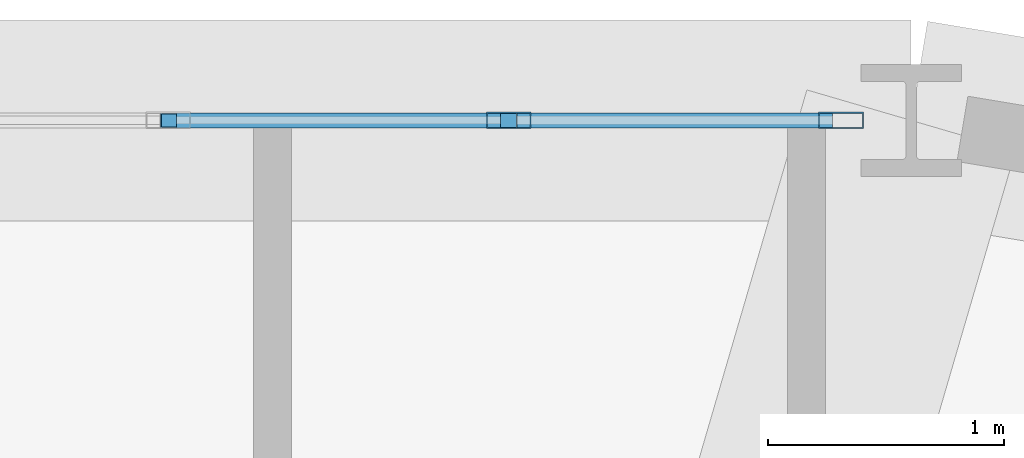
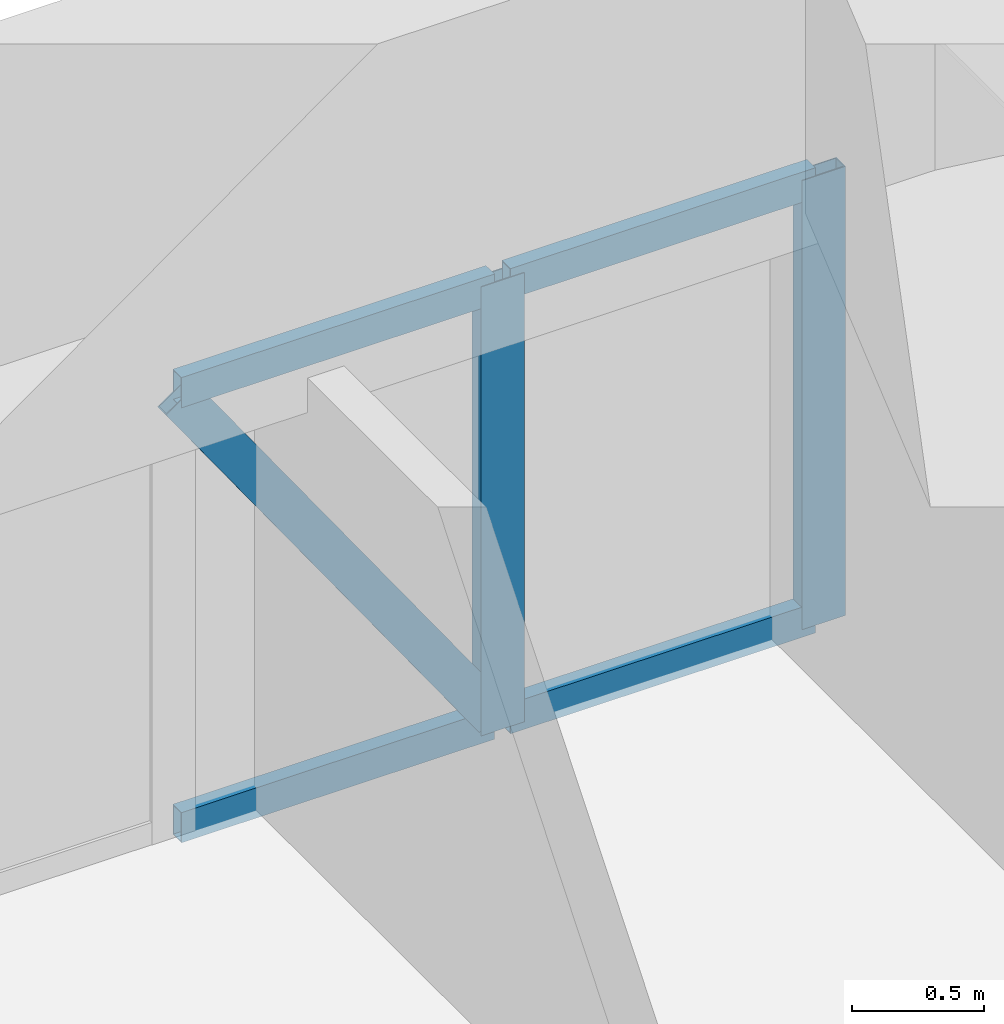
# One storey, part 11 of 17: 7 members, 1 element without a shape of its own.
"""IFC4 building model written with IfcOpenShell, lengths in metres."""

from ifc_helpers import new_model, si_unit, derived_unit, direction, frame, origin, origin_2d, place, context, subcontext, project, spatial, hollow_rectangle, extrude, source, transform, mapped, material, layer, layer_set, material_profile, profile_set, type_object, element, aggregate, save


model = new_model("IFC4")

# Units and contexts
model_context = context("Model", 3, precision=1e-05, world=origin(), true_north=direction((0.0, 1.0)))
body_context = subcontext(model_context, "Body", "Model", "MODEL_VIEW")
ifc_project = project(units=[si_unit("LENGTHUNIT", "METRE"), si_unit("AREAUNIT", "SQUARE_METRE"), si_unit("VOLUMEUNIT", "CUBIC_METRE"), si_unit("PLANEANGLEUNIT", "RADIAN"), si_unit("MASSUNIT", "GRAM", prefix="KILO"), derived_unit("THERMALTRANSMITTANCEUNIT", [(si_unit("POWERUNIT", "WATT"), 1), (si_unit("LENGTHUNIT", "METRE"), -2), (si_unit("THERMODYNAMICTEMPERATUREUNIT", "KELVIN"), -1)])], contexts=[model_context])

# Site, building, storey
site_placement = place(None, origin())
site = spatial("IfcSite", under=ifc_project, at=site_placement, CompositionType="ELEMENT")
building_placement = place(site_placement, origin())
building = spatial("IfcBuilding", under=site, at=building_placement, Name="Korsvarv Bourse and Concert Hall", CompositionType="ELEMENT")
storey_placement = place(building_placement, frame((0.0, 0.0, 83.39990234375)))
storey = spatial("IfcBuildingStorey", under=building, at=storey_placement, Name="L20", CompositionType="ELEMENT", Elevation=83.39990234375)

# Curtain wall, members
ifc_material_1 = material(Name="Anodised aluminium and triple low-E glazing", Category="glass")
ifc_layer = layer(ifc_material_1, 0.219970703125)
ifc_layer_set = layer_set([ifc_layer], Name="Anodised aluminium and triple low-E glazing")
curtain_wall_type = type_object("IfcCurtainWallType", Name="CW-SYS-1", PredefinedType="NOTDEFINED", material=ifc_layer_set)
curtain_wall_placement = place(storey_placement, origin())
curtain_wall = element("IfcCurtainWall", 1, at=curtain_wall_placement, inside=storey, type_object=curtain_wall_type, Name="L20 CW1 curtain wall CW-L20-F03", PredefinedType="NOTDEFINED")
ifc_material_2 = material(Name="Extruded aluminium EN AW-6063 T66", Category="aluminium")
ifc_material_profile_1 = material_profile(ifc_material_2, hollow_rectangle(XDim=0.070068359375, YDim=0.18994140625, WallThickness=0.0048828125, at=origin_2d()), Name="ALU-M 70x190")
ifc_profile_set_1 = profile_set([ifc_material_profile_1], Name="Extruded aluminium EN AW-6063 T66")
member_type_1 = type_object("IfcMemberType", Name="CWM-190", PredefinedType="MULLION", material=ifc_profile_set_1)
shared_shape_1 = source(origin(), body_context, "Body", "SweptSolid", [
    extrude(hollow_rectangle(XDim=0.070068359375, YDim=0.18994140625, WallThickness=0.0048828125, at=origin_2d()), origin(), (0.0, 0.0, 1.0), 2.080078125),
])
member_1_placement = place(storey_placement, frame((47.37158203125, 55.86767578125, 0.0), z_axis=(0.0, 0.0, 1.0), x_axis=(0.0, -1.0, 0.0)))
member_1 = element("IfcMember", 2, at=member_1_placement, type_object=member_type_1, Name="CW1 mullion 1", PredefinedType="MULLION", context=body_context, shape_type="MappedRepresentation", body=[
    mapped(shared_shape_1, transform((0.0, 0.0, 0.0), scale=1.0)),
])
member_2_placement = place(storey_placement, frame((45.96533203125, 55.86767578125, 0.0), z_axis=(0.0, 0.0, 1.0), x_axis=(0.0, -1.0, 0.0)))
member_2 = element("IfcMember", 3, at=member_2_placement, type_object=member_type_1, Name="CW1 mullion 2", PredefinedType="MULLION", context=body_context, shape_type="MappedRepresentation", body=[
    mapped(shared_shape_1, transform((0.0, 0.0, 0.0), scale=1.0)),
])
ifc_material_profile_2 = material_profile(ifc_material_2, hollow_rectangle(XDim=0.06494140625, YDim=0.139892578125, WallThickness=0.00390625, at=origin_2d()), Name="ALU-T 65x140")
ifc_profile_set_2 = profile_set([ifc_material_profile_2], Name="Extruded aluminium EN AW-6063 T66")
member_type_2 = type_object("IfcMemberType", Name="CWT-140", PredefinedType="USERDEFINED", material=ifc_profile_set_2)
shared_shape_2 = source(origin(), body_context, "Body", "SweptSolid", [
    extrude(hollow_rectangle(XDim=0.06494140625, YDim=0.139892578125, WallThickness=0.00390625, at=origin_2d()), origin(), (0.0, 0.0, 1.0), 1.33642578125),
])
member_3_placement = place(storey_placement, frame((47.336669921875, 55.86767578125, 0.03271484375), z_axis=(-1.0, 0.0, 0.0), x_axis=(0.0, -1.0, 0.0)))
member_3 = element("IfcMember", 4, at=member_3_placement, type_object=member_type_2, Name="CW1 transom 1.1", ObjectType="TRANSOM", PredefinedType="USERDEFINED", context=body_context, shape_type="MappedRepresentation", body=[
    mapped(shared_shape_2, transform((0.0, 0.0, 0.0), scale=1.0)),
])
member_4_placement = place(storey_placement, frame((47.336669921875, 55.86767578125, 2.047607421875), z_axis=(-1.0, 0.0, 0.0), x_axis=(0.0, -1.0, 0.0)))
member_4 = element("IfcMember", 5, at=member_4_placement, type_object=member_type_2, Name="CW1 transom 1.2", ObjectType="TRANSOM", PredefinedType="USERDEFINED", context=body_context, shape_type="MappedRepresentation", body=[
    mapped(shared_shape_2, transform((0.0, 0.0, 0.0), scale=1.0)),
])
shared_shape_3 = source(origin(), body_context, "Body", "SweptSolid", [
    extrude(hollow_rectangle(XDim=0.06494140625, YDim=0.139892578125, WallThickness=0.00390625, at=origin_2d()), origin(), (0.0, 0.0, 1.0), 1.371337890625),
])
member_5_placement = place(storey_placement, frame((45.930419921875, 55.86767578125, 0.03271484375), z_axis=(-1.0, 0.0, 0.0), x_axis=(0.0, -1.0, 0.0)))
member_5 = element("IfcMember", 6, at=member_5_placement, type_object=member_type_2, Name="CW1 transom 2.1", ObjectType="TRANSOM", PredefinedType="USERDEFINED", context=body_context, shape_type="MappedRepresentation", body=[
    mapped(shared_shape_3, transform((0.0, 0.0, 0.0), scale=1.0)),
])
member_6_placement = place(storey_placement, frame((45.930419921875, 55.86767578125, 2.047607421875), z_axis=(-1.0, 0.0, 0.0), x_axis=(0.0, -1.0, 0.0)))
member_6 = element("IfcMember", 7, at=member_6_placement, type_object=member_type_2, Name="CW1 transom 2.2", ObjectType="TRANSOM", PredefinedType="USERDEFINED", context=body_context, shape_type="MappedRepresentation", body=[
    mapped(shared_shape_3, transform((0.0, 0.0, 0.0), scale=1.0)),
])
ifc_material_profile_3 = material_profile(ifc_material_2, hollow_rectangle(XDim=0.06494140625, YDim=0.1650390625, WallThickness=0.0048828125, at=origin_2d()), Name="ALU-M 65x165")
ifc_profile_set_3 = profile_set([ifc_material_profile_3], Name="Extruded aluminium EN AW-6063 T66")
member_type_3 = type_object("IfcMemberType", Name="CWM-165", PredefinedType="MULLION", material=ifc_profile_set_3)
shared_shape_4 = source(origin(), body_context, "Body", "SweptSolid", [
    extrude(hollow_rectangle(XDim=0.06494140625, YDim=0.1650390625, WallThickness=0.0048828125, at=origin_2d()), origin(), (0.0, 0.0, 1.0), 2.3837890625),
])
member_7_placement = place(storey_placement, frame((45.930419921875, 55.86767578125, 0.065185546875), z_axis=(-0.575254918691, 0.0, 0.817974191843), x_axis=(0.0, -1.0, 0.0)))
member_7 = element("IfcMember", 8, at=member_7_placement, type_object=member_type_3, Name="CW1 diagonal mullion 2", PredefinedType="MULLION", context=body_context, shape_type="MappedRepresentation", body=[
    mapped(shared_shape_4, transform((0.0, 0.0, 0.0), scale=1.0)),
])
aggregate(curtain_wall, [member_1, member_2, member_3, member_4, member_5, member_6, member_7])

save(model, "model.ifc")
